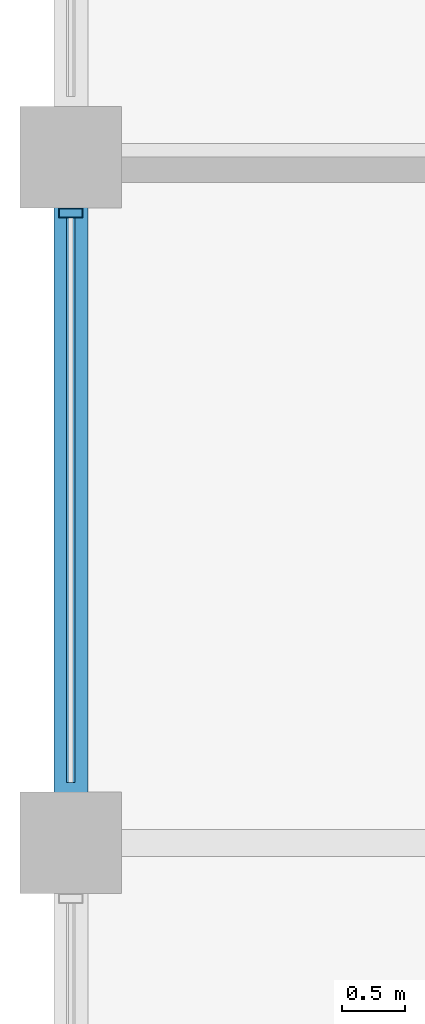
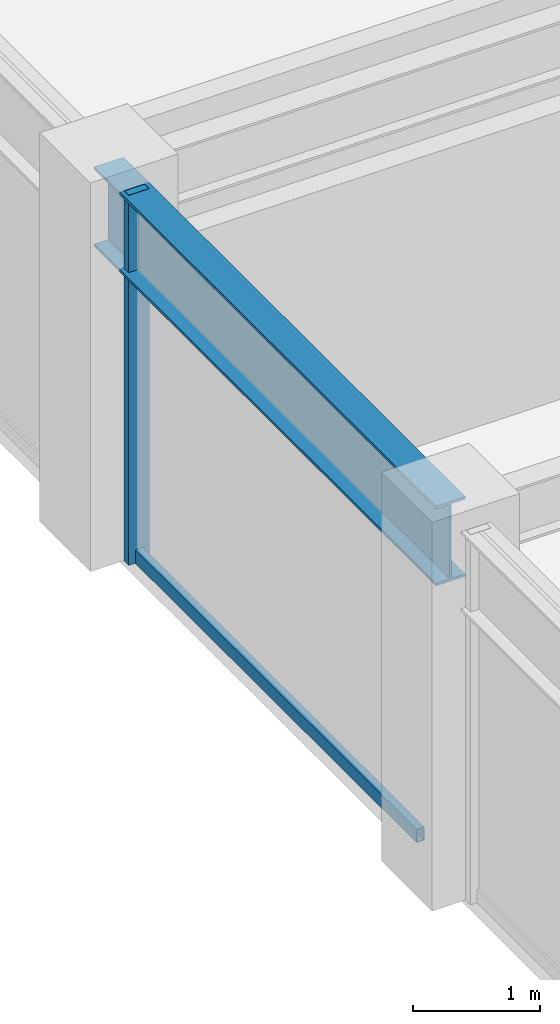
# One storey, part 8 of 32: 2 members, 1 beam, 1 element without a shape of its own.
"""IFC4 building model written with IfcOpenShell, lengths in metres."""

from ifc_helpers import new_model, si_unit, direction, frame, origin, origin_2d, place, context, subcontext, project, spatial, hollow_rectangle, i_section, extrude, material, layer, layer_set, material_profile, profile_set, type_object, element, aggregate, save


model = new_model("IFC4")

# Units and contexts
model_context = context("Model", 3, precision=1e-05, world=origin(), true_north=direction((0.0, 1.0)))
body_context = subcontext(model_context, "Body", "Model", "MODEL_VIEW")
ifc_project = project(units=[si_unit("LENGTHUNIT", "METRE"), si_unit("AREAUNIT", "SQUARE_METRE"), si_unit("VOLUMEUNIT", "CUBIC_METRE"), si_unit("PLANEANGLEUNIT", "RADIAN"), si_unit("MASSUNIT", "GRAM", prefix="KILO")], contexts=[model_context])

# Site, building, storey
site_placement = place(None, origin())
site = spatial("IfcSite", under=ifc_project, at=site_placement, CompositionType="ELEMENT")
building_placement = place(site_placement, origin())
building = spatial("IfcBuilding", under=site, at=building_placement, Name="Surkhivell Harbour Commons", CompositionType="ELEMENT")
storey_placement = place(building_placement, frame((0.0, 0.0, 219.75)))
storey = spatial("IfcBuildingStorey", under=building, at=storey_placement, Name="L57", CompositionType="ELEMENT", Elevation=219.75)

# Beam
ifc_material_1 = material(Name="Steel S355", Category="steel")
ifc_material_profile_1 = material_profile(ifc_material_1, i_section(OverallWidth=0.26806640625, OverallDepth=0.77001953125, WebThickness=0.015625, FlangeThickness=0.025390625, at=origin_2d()), Name="UB762x267x197")
ifc_profile_set_1 = profile_set([ifc_material_profile_1], Name="Steel S355")
beam_type = type_object("IfcBeamType", Name="BM-SPN-762", PredefinedType="SPANDREL", material=ifc_profile_set_1)
beam_placement = place(storey_placement, frame((-27.0, -5.39990234375, 3.18505859375), z_axis=(0.0, 1.0, 0.0), x_axis=(-1.0, 0.0, 0.0)))
element("IfcBeam", 1, at=beam_placement, inside=storey, type_object=beam_type, Name="L57 Tube Spandrel (-27.0,-5.4)", PredefinedType="SPANDREL", context=body_context, shape_type="SweptSolid", body=[
    extrude(i_section(OverallWidth=0.26806640625, OverallDepth=0.77001953125, WebThickness=0.015625, FlangeThickness=0.025390625, at=origin_2d()), origin(), (0.0, 0.0, 1.0), 5.39990234375),
])

# Curtain wall, members
ifc_material_2 = material(Name="Anodised pale-metal aluminium and insulated glazing", Category="aluminium")
ifc_layer = layer(ifc_material_2, 0.18994140625)
ifc_layer_set = layer_set([ifc_layer], Name="Anodised pale-metal aluminium and insulated glazing")
curtain_wall_type = type_object("IfcCurtainWallType", Name="CW-SYS-Z3", PredefinedType="NOTDEFINED", material=ifc_layer_set)
curtain_wall_placement = place(storey_placement, origin())
curtain_wall = element("IfcCurtainWall", 2, at=curtain_wall_placement, inside=storey, type_object=curtain_wall_type, Name="L57 Curtain Wall CW-L57-E12S1", PredefinedType="NOTDEFINED")
ifc_material_3 = material(Name="Anodised pale-metal aluminium alloy 6063-T6", Category="aluminium")
ifc_material_profile_2 = material_profile(ifc_material_3, hollow_rectangle(XDim=0.074951171875, YDim=0.18994140625, WallThickness=0.00390625, at=origin_2d()), Name="ALU-MULL-75x190")
ifc_profile_set_2 = profile_set([ifc_material_profile_2], Name="Anodised pale-metal aluminium alloy 6063-T6")
member_type_1 = type_object("IfcMemberType", Name="CWM-190", PredefinedType="MULLION", material=ifc_profile_set_2)
member_1_placement = place(storey_placement, frame((-27.0, -0.439453125, 0.0), z_axis=(0.0, 0.0, 1.0), x_axis=(0.0, -1.0, 0.0)))
member_1 = element("IfcMember", 3, at=member_1_placement, type_object=member_type_1, Name="CW-Z3 mullion 5", PredefinedType="MULLION", context=body_context, shape_type="SweptSolid", body=[
    extrude(hollow_rectangle(XDim=0.074951171875, YDim=0.18994140625, WallThickness=0.00390625, at=origin_2d()), origin(), (0.0, 0.0, 1.0), 3.570068359375),
])
ifc_material_4 = material(Name="Champagne anodised aluminium alloy 6063-T6", Category="aluminium")
ifc_material_profile_3 = material_profile(ifc_material_4, hollow_rectangle(XDim=0.070068359375, YDim=0.1298828125, WallThickness=0.00341796875, at=origin_2d()), Name="ALU-TRAN-70x130")
ifc_profile_set_3 = profile_set([ifc_material_profile_3], Name="Champagne anodised aluminium alloy 6063-T6")
member_type_2 = type_object("IfcMemberType", Name="CWT-130", PredefinedType="USERDEFINED", material=ifc_profile_set_3)
member_2_placement = place(storey_placement, frame((-27.0, -0.47705078125, 0.06494140625), z_axis=(0.0, -1.0, 0.0), x_axis=(1.0, 0.0, 0.0)))
member_2 = element("IfcMember", 4, at=member_2_placement, type_object=member_type_2, Name="CW-Z3 transom 5.1", ObjectType="TRANSOM", PredefinedType="USERDEFINED", context=body_context, shape_type="SweptSolid", body=[
    extrude(hollow_rectangle(XDim=0.070068359375, YDim=0.1298828125, WallThickness=0.00341796875, at=origin_2d()), origin(), (0.0, 0.0, 1.0), 4.446044921875),
])
aggregate(curtain_wall, [member_1, member_2])

save(model, "model.ifc")
